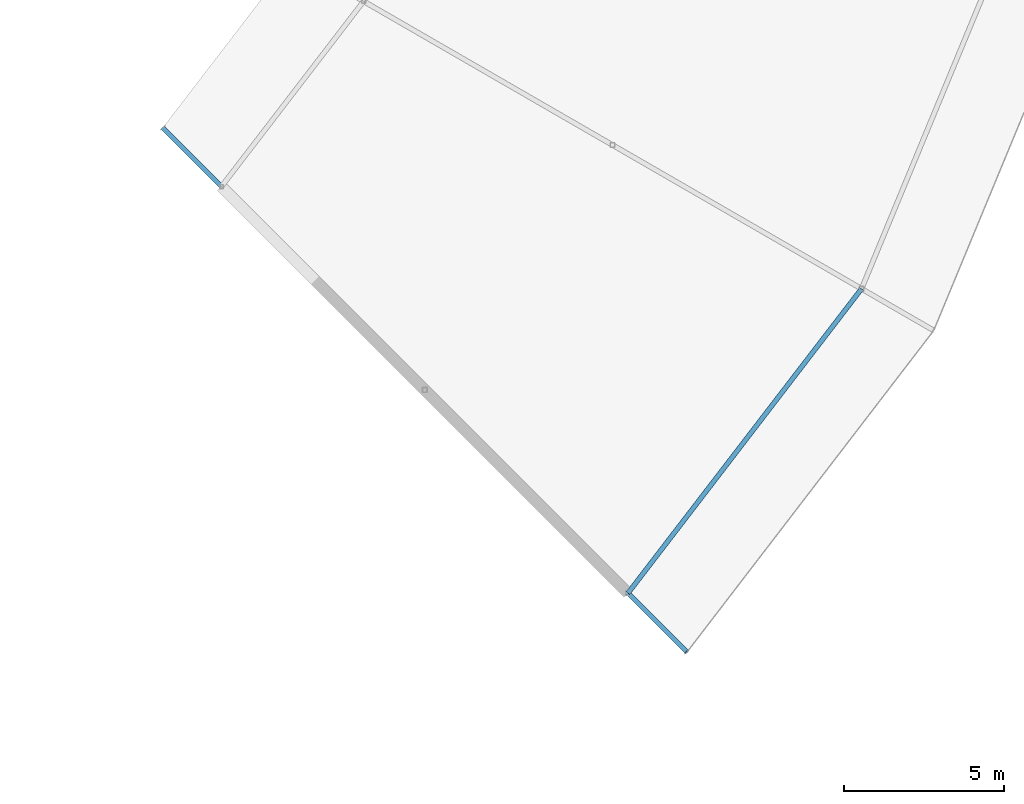
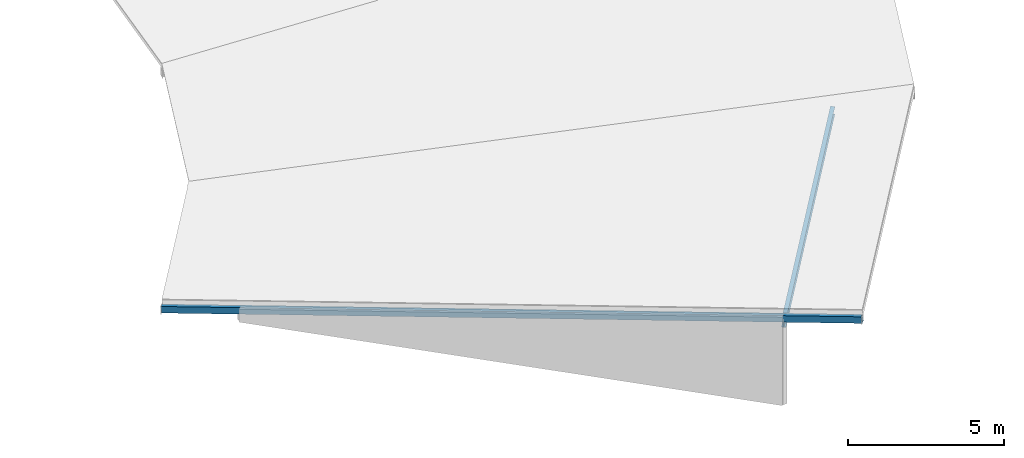
# One storey, part 107 of 200: 1 beam, 1 member.
"""IFC4 building model written with IfcOpenShell, lengths in metres."""

import ifcopenshell
import ifcopenshell.guid

model = None  # the IFC model being written
_history = None  # IfcOwnerHistory: only IFC2X3 demands one
_inside = {}  # id of a spatial element -> (the spatial element, [elements in it])
_under = {}  # id of a project, library or spatial element -> (it, [spatial elements below it])
_declared = {}  # id of a project -> (the project, [libraries it declares])
_typed = {}  # id of a type object -> (the type object, [elements of that type])
_made_of = {}  # id of a material, layer set ... -> (it, [elements and type objects made of it])


def new_model(schema):
    """Start an empty IFC model of exactly this schema.

    Asked for "IFC4X3", IfcOpenShell would pick the latest addendum, in which some entities
    have other attributes; the version numbers below select the first issue.
    IFC2X3 requires an IfcOwnerHistory on every rooted entity: one is made here for all.
    """
    global model, _history
    if schema == "IFC4X3":
        model = ifcopenshell.file(schema_version=(4, 3, 0, 0))
    else:
        model = ifcopenshell.file(schema=schema)
    _inside.clear()
    _under.clear()
    _declared.clear()
    _typed.clear()
    _made_of.clear()
    _history = None
    if model.schema == "IFC2X3":
        org = make("IfcOrganization", Name="unknown")
        user = make(
            "IfcPersonAndOrganization",
            ThePerson=make("IfcPerson", FamilyName="unknown"),
            TheOrganization=org,
        )
        app = make(
            "IfcApplication",
            ApplicationDeveloper=org,
            Version="unknown",
            ApplicationFullName="unknown",
            ApplicationIdentifier="unknown",
        )
        _history = make(
            "IfcOwnerHistory",
            OwningUser=user,
            OwningApplication=app,
            ChangeAction="ADDED",
            CreationDate=0,
        )
    return model


def make(cls, **values):
    """One entity of the class cls with the attributes given. An attribute that is None is left unset."""
    return model.create_entity(
        cls, **{name: value for name, value in values.items() if value is not None}
    )


def rooted(cls, **values):
    """An entity with a GlobalId (a new one), such as an element, a storey or a relation."""
    return make(cls, GlobalId=ifcopenshell.guid.new(), OwnerHistory=_history, **values)


def si_unit(unit_type, name, prefix=None):
    """IfcSIUnit, for example si_unit("LENGTHUNIT", "METRE", prefix="MILLI")."""
    return make("IfcSIUnit", UnitType=unit_type, Prefix=prefix, Name=name)


def assignment(units):
    """IfcUnitAssignment: the units of a project."""
    return None if units is None else make("IfcUnitAssignment", Units=units)


def point(xyz):
    """IfcCartesianPoint."""
    return None if xyz is None else make("IfcCartesianPoint", Coordinates=xyz)


def direction(xyz):
    """IfcDirection."""
    return None if xyz is None else make("IfcDirection", DirectionRatios=xyz)


def frame(location, z_axis=None, x_axis=None):
    """IfcAxis2Placement3D, a coordinate frame: its origin and axes. An axis left out is left unset."""
    return make(
        "IfcAxis2Placement3D",
        Location=point(location),
        Axis=direction(z_axis),
        RefDirection=direction(x_axis),
    )


def frame_2d(location, x_axis=None):
    """IfcAxis2Placement2D, a coordinate frame in the plane: its origin and x axis."""
    return make(
        "IfcAxis2Placement2D", Location=point(location), RefDirection=direction(x_axis)
    )


def origin():
    """The frame at (0, 0, 0) with its axes left unset."""
    return frame((0.0, 0.0, 0.0))


def origin_2d():
    """The frame at (0, 0) in the plane with its x axis left unset."""
    return frame_2d((0.0, 0.0))


def place(relative_to, where):
    """IfcLocalPlacement: puts the frame where relative to a parent placement (None: the world)."""
    return make(
        "IfcLocalPlacement", PlacementRelTo=relative_to, RelativePlacement=where
    )


def context(
    kind, dimensions, precision=None, world=None, true_north=None, identifier=None
):
    """IfcGeometricRepresentationContext, for example the 3D "Model" context."""
    return make(
        "IfcGeometricRepresentationContext",
        ContextIdentifier=identifier,
        ContextType=kind,
        CoordinateSpaceDimension=dimensions,
        Precision=precision,
        WorldCoordinateSystem=world,
        TrueNorth=true_north,
    )


def subcontext(parent, identifier, kind, view, scale=None):
    """IfcGeometricRepresentationSubContext, for example "Body" below "Model"."""
    return make(
        "IfcGeometricRepresentationSubContext",
        ContextIdentifier=identifier,
        ContextType=kind,
        ParentContext=parent,
        TargetScale=scale,
        TargetView=view,
    )


def project(units=None, contexts=None):
    """IfcProject with its units and contexts."""
    return rooted(
        "IfcProject",
        Name="project",
        RepresentationContexts=contexts,
        UnitsInContext=assignment(units),
    )


def spatial(cls, under=None, at=None, **own):
    """A site, building, storey or space (cls), placed at a placement, below another one or the project."""
    s = rooted(cls, ObjectPlacement=at, **own)
    if under is not None:
        _under.setdefault(under.id(), (under, []))[1].append(s)
    return s


def profile(cls, at=None, kind="AREA", **sizes):
    """A parametric profile (cls). Its sizes go by their IFC names, for example OverallWidth=200.0."""
    return make(cls, ProfileType=kind, Position=at, **sizes)


def hollow_rectangle(**sizes):
    """IfcRectangleHollowProfileDef."""
    return profile("IfcRectangleHollowProfileDef", **sizes)


def i_section(**sizes):
    """IfcIShapeProfileDef."""
    return profile("IfcIShapeProfileDef", **sizes)


def extrude(swept, where, along, depth):
    """IfcExtrudedAreaSolid: the profile swept, set in the frame where, extruded along a direction by depth."""
    return make(
        "IfcExtrudedAreaSolid",
        SweptArea=swept,
        Position=where,
        ExtrudedDirection=direction(along),
        Depth=depth,
    )


def shape(context_of_items, identifier, shape_type, items):
    """IfcShapeRepresentation: the items that make up one representation, for example the "Body"."""
    return make(
        "IfcShapeRepresentation",
        ContextOfItems=context_of_items,
        RepresentationIdentifier=identifier,
        RepresentationType=shape_type,
        Items=items,
    )


def material(Name=None, Category=None):
    """IfcMaterial."""
    return make("IfcMaterial", Name=Name, Category=Category)


def material_profile(
    of_material, cross_section, Name=None, Category=None, Priority=None
):
    """IfcMaterialProfile: a cross section and its material."""
    return make(
        "IfcMaterialProfile",
        Name=Name,
        Material=of_material,
        Profile=cross_section,
        Priority=Priority,
        Category=Category,
    )


def profile_set(profiles, Name=None, composite=None):
    """IfcMaterialProfileSet."""
    return make(
        "IfcMaterialProfileSet",
        Name=Name,
        MaterialProfiles=profiles,
        CompositeProfile=composite,
    )


def made_of(thing, what):
    """Note that an element or type object is made of a material, layer set ...; save() writes the relation."""
    if what is not None:
        _made_of.setdefault(what.id(), (what, []))[1].append(thing)
    return thing


def type_object(cls, material=None, **own):
    """A type object (cls), such as IfcWallType, which elements share."""
    return made_of(rooted(cls, **own), material)


def element(
    cls,
    number,
    at=None,
    inside=None,
    cuts=None,
    type_object=None,
    material=None,
    context=None,
    identifier="Body",
    shape_type=None,
    held_by="IfcProductDefinitionShape",
    body=None,
    shapes=None,
    **own,
):
    """One element of the class cls, such as IfcWall. Its Tag is "e" and its number.

    at: its placement. inside: the storey or other place that contains it. cuts: it is an
    opening in that element (IfcRelVoidsElement). A single representation is given by context,
    identifier, shape_type and body (its items); several are given by shapes. held_by: the class
    of the entity that holds the representations. save() writes the other relations.
    """
    e = rooted(cls, Tag="e%d" % number, ObjectPlacement=at, **own)
    if body is not None:
        shapes = [shape(context, identifier, shape_type, body)]
    if shapes is not None:
        e.Representation = make(held_by, Representations=shapes)
    if inside is not None:
        _inside.setdefault(inside.id(), (inside, []))[1].append(e)
    if cuts is not None:
        rooted(
            "IfcRelVoidsElement", RelatingBuildingElement=cuts, RelatedOpeningElement=e
        )
    if type_object is not None:
        _typed.setdefault(type_object.id(), (type_object, []))[1].append(e)
    return made_of(e, material)


def aggregate(whole, parts):
    """IfcRelAggregates: a whole, such as a stair, and the parts it consists of."""
    return rooted("IfcRelAggregates", RelatingObject=whole, RelatedObjects=parts)


def save(model, path):
    """Write the relations noted so far, then the file.

    IfcRelAggregates (storeys below a building ...), IfcRelContainedInSpatialStructure (elements
    in a storey), IfcRelDefinesByType, IfcRelAssociatesMaterial and IfcRelDeclares: one each for
    every whole, place, type object, material and project.
    """
    for whole, parts in _under.values():
        aggregate(whole, parts)
    for where, things in _inside.values():
        rooted(
            "IfcRelContainedInSpatialStructure",
            RelatedElements=things,
            RelatingStructure=where,
        )
    for kind, things in _typed.values():
        rooted("IfcRelDefinesByType", RelatedObjects=things, RelatingType=kind)
    for what, things in _made_of.values():
        rooted("IfcRelAssociatesMaterial", RelatedObjects=things, RelatingMaterial=what)
    for by, libraries in _declared.values():
        rooted("IfcRelDeclares", RelatingContext=by, RelatedDefinitions=libraries)
    model.write(path)


model = new_model("IFC4")

# Units and contexts
model_context = context("Model", 3, precision=1e-05, world=origin(), true_north=direction((0.0, 1.0)))
body_context = subcontext(model_context, "Body", "Model", "MODEL_VIEW")
ifc_project = project(units=[si_unit("LENGTHUNIT", "METRE"), si_unit("AREAUNIT", "SQUARE_METRE"), si_unit("VOLUMEUNIT", "CUBIC_METRE"), si_unit("PLANEANGLEUNIT", "RADIAN"), si_unit("MASSUNIT", "GRAM", prefix="KILO")], contexts=[model_context])

# Site, building, storey
site_placement = place(None, origin())
site = spatial("IfcSite", under=ifc_project, at=site_placement, CompositionType="ELEMENT")
building_placement = place(site_placement, origin())
building = spatial("IfcBuilding", under=site, at=building_placement, Name="Vondelvale Polytechnic", CompositionType="ELEMENT")
storey_placement = place(building_placement, frame((0.0, 0.0, 13.800048828125)))
storey = spatial("IfcBuildingStorey", under=building, at=storey_placement, Name="L03", CompositionType="ELEMENT", Elevation=13.800048828125)

# Beam
ifc_material_1 = material(Name="Steel 300PLUS (fy = 300 MPa)", Category="steel")
ifc_material_profile_1 = material_profile(ifc_material_1, i_section(OverallWidth=0.14892578125, OverallDepth=0.298095703125, WebThickness=0.005615234375, FlangeThickness=0.008056640625, FilletRadius=0.011474609375, at=origin_2d()), Name="310UB32.0")
ifc_profile_set_1 = profile_set([ifc_material_profile_1], Name="Steel 300PLUS (fy = 300 MPa)")
beam_type = type_object("IfcBeamType", Name="BM-UB310L", PredefinedType="BEAM", material=ifc_profile_set_1)
beam_placement = place(storey_placement, frame((134.52685546875, 39.47314453125, 3.11083984375), z_axis=(0.608766116008, 0.793349743808, 0.0), x_axis=(-0.793349743808, 0.608766116008, 0.0)))
element("IfcBeam", 1, at=beam_placement, inside=storey, type_object=beam_type, Name="L03 RE B-25", PredefinedType="BEAM", context=body_context, shape_type="SweptSolid", body=[
    extrude(i_section(OverallWidth=0.14892578125, OverallDepth=0.298095703125, WebThickness=0.005615234375, FlangeThickness=0.008056640625, FilletRadius=0.011474609375, at=origin_2d()), origin(), (0.0, 0.0, 1.0), 12.00830078125),
])

# Member
ifc_material_2 = material(Name="Steel C350L0 (fy = 350 MPa)", Category="steel")
ifc_material_profile_2 = material_profile(ifc_material_2, hollow_rectangle(XDim=0.14990234375, YDim=0.25, WallThickness=0.006103515625, at=origin_2d()), Name="250x150x6.0RHS")
ifc_profile_set_2 = profile_set([ifc_material_profile_2], Name="Steel C350L0 (fy = 350 MPa)")
member_type = type_object("IfcMemberType", Name="RAFTER RHS250", PredefinedType="RAFTER", material=ifc_profile_set_2)
member_placement = place(storey_placement, frame((136.365478515625, 37.634521484375, 3.765625), z_axis=(-0.697808205371, 0.697808205371, -0.161639775528), x_axis=(-0.707106781187, -0.707106781187, 0.0)))
element("IfcMember", 2, at=member_placement, inside=storey, type_object=member_type, Name="Ring inward-sloping rafter 21", PredefinedType="RAFTER", context=body_context, shape_type="SweptSolid", body=[
    extrude(hollow_rectangle(XDim=0.14990234375, YDim=0.25, WallThickness=0.006103515625, at=origin_2d()), origin(), (0.0, 0.0, 1.0), 23.50927734375),
])

save(model, "model.ifc")
